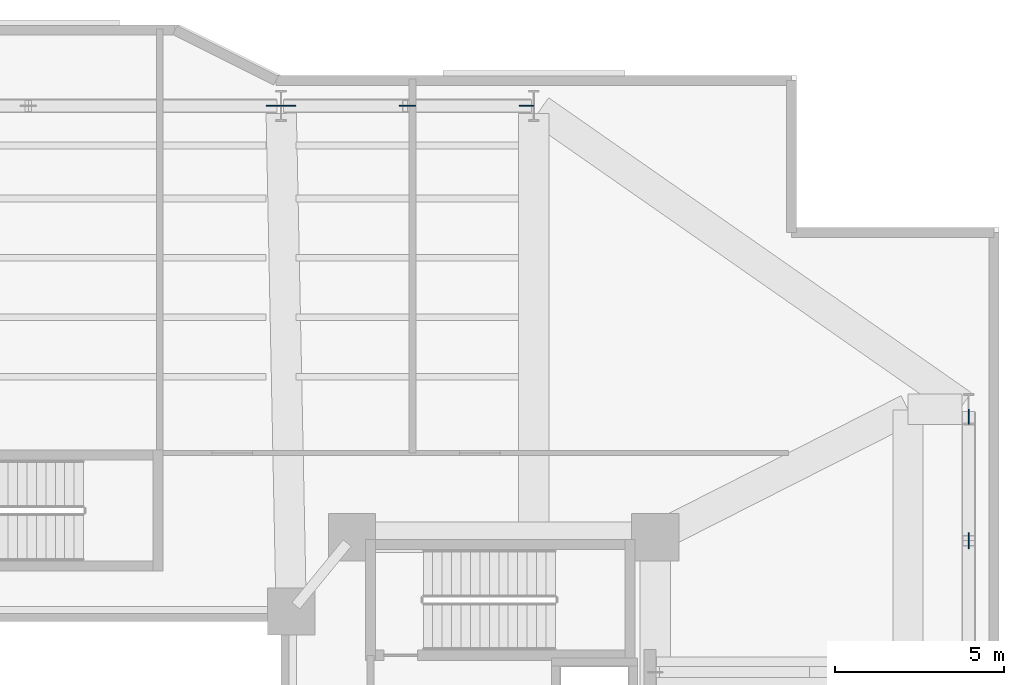
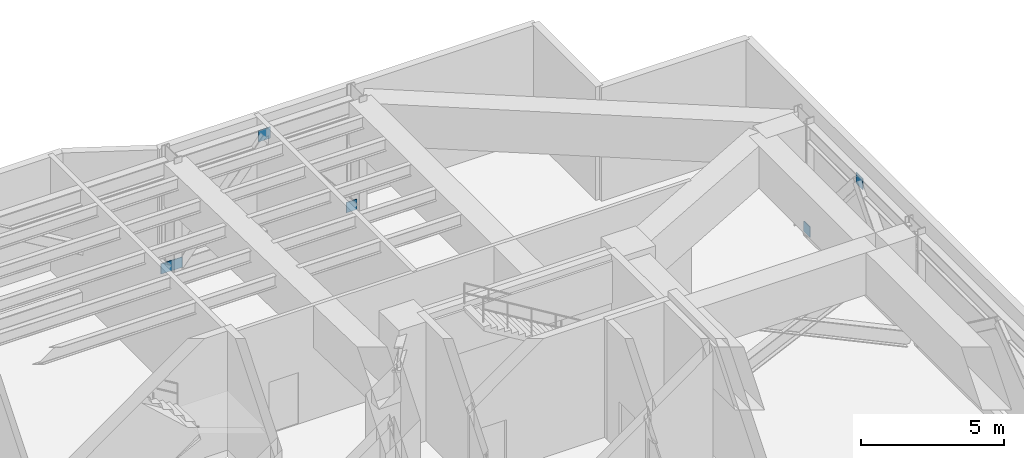
# One storey, part 7 of 12: 6 plates.
"""IFC4 building model written with IfcOpenShell, lengths in metres."""

from ifc_helpers import new_model, si_unit, direction, frame, origin, origin_2d, place, context, subcontext, project, spatial, rectangle, extrude, material, layer, layer_set, type_object, element, save


model = new_model("IFC4")

# Units and contexts
model_context = context("Model", 3, precision=1e-05, world=origin(), true_north=direction((0.0, 1.0)))
body_context = subcontext(model_context, "Body", "Model", "MODEL_VIEW")
ifc_project = project(units=[si_unit("LENGTHUNIT", "METRE"), si_unit("AREAUNIT", "SQUARE_METRE"), si_unit("VOLUMEUNIT", "CUBIC_METRE"), si_unit("PLANEANGLEUNIT", "RADIAN"), si_unit("MASSUNIT", "GRAM", prefix="KILO")], contexts=[model_context])

# Site, building, storey
site_placement = place(None, origin())
site = spatial("IfcSite", under=ifc_project, at=site_placement, CompositionType="ELEMENT")
building_placement = place(site_placement, origin())
building = spatial("IfcBuilding", under=site, at=building_placement, Name="Tarnavaz Court Tower", CompositionType="ELEMENT")
storey_placement = place(building_placement, frame((0.0, 0.0, 73.199951171875)))
storey = spatial("IfcBuildingStorey", under=building, at=storey_placement, Name="L19", CompositionType="ELEMENT", Elevation=73.199951171875)

# Plates
ifc_material = material(Name="Steel S355", Category="steel")
ifc_layer = layer(ifc_material, 0.030029296875)
ifc_layer_set = layer_set([ifc_layer], Name="Steel S355")
plate_type = type_object("IfcPlateType", Name="PL-GUSSET-30", PredefinedType="USERDEFINED", material=ifc_layer_set)
for number, where, z_axis, x_axis, name in (
    (1, (11.25, 22.800048828125, 4.260009765625), (0.0, 0.0, 1.0), (1.0, 0.0, 0.0), "L19 Belt Truss Apex Gusset & End-Cap Plate 03"),
    (2, (27.89990234375, 9.89990234375, 4.260009765625), (0.0, 0.0, 1.0), (0.0, 1.0, 0.0), "L19 Belt Truss Apex Gusset & End-Cap Plate 09"),
):
    element("IfcPlate", number, at=place(storey_placement, frame(where, z_axis=z_axis, x_axis=x_axis)), inside=storey, type_object=plate_type, Name=name, ObjectType="GUSSET PLATE", PredefinedType="USERDEFINED", context=body_context, shape_type="SweptSolid", body=[
        extrude(rectangle(XDim=0.47998046875, YDim=0.030029296875, at=origin_2d()), origin(), (0.0, 0.0, 1.0), 0.47998046875),
    ])
for number, where, z_axis, x_axis, name in (
    (3, (7.280029296875, 22.800048828125, -0.02001953125), (0.0, 0.0, 1.0), (1.0, 0.0, 0.0), "L19 Structural Brace & Strut End Gusset Plate 004"),
    (4, (7.719970703125, 22.800048828125, -0.02001953125), (0.0, 0.0, 1.0), (1.0, 0.0, 0.0), "L19 Structural Brace & Strut End Gusset Plate 005"),
    (5, (14.780029296875, 22.800048828125, -0.02001953125), (0.0, 0.0, 1.0), (1.0, 0.0, 0.0), "L19 Structural Brace & Strut End Gusset Plate 006"),
    (6, (27.89990234375, 13.580078125, -0.02001953125), (0.0, 0.0, 1.0), (0.0, 1.0, 0.0), "L19 Structural Brace & Strut End Gusset Plate 018"),
):
    element("IfcPlate", number, at=place(storey_placement, frame(where, z_axis=z_axis, x_axis=x_axis)), inside=storey, type_object=plate_type, Name=name, ObjectType="GUSSET PLATE", PredefinedType="USERDEFINED", context=body_context, shape_type="SweptSolid", body=[
        extrude(rectangle(XDim=0.43994140625, YDim=0.030029296875, at=origin_2d()), origin(), (0.0, 0.0, 1.0), 0.43994140625),
    ])

save(model, "model.ifc")
